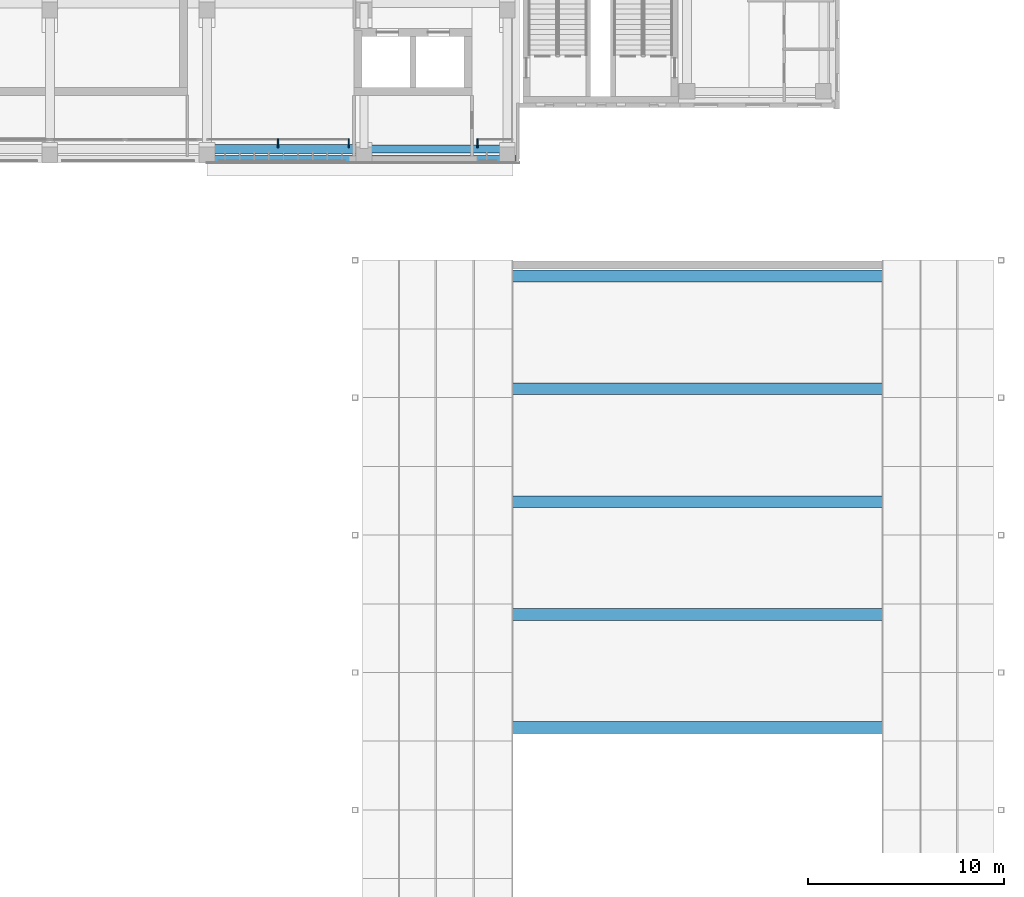
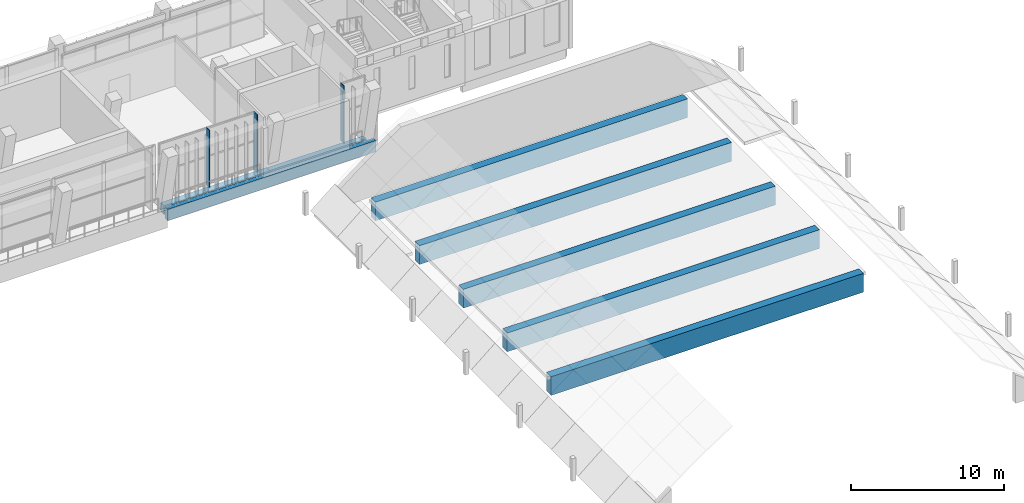
# One storey, part 17 of 89: 8 beams, 3 members, 2 elements without a shape of their own.
"""IFC4 building model written with IfcOpenShell, lengths in metres."""

from ifc_helpers import new_model, si_unit, direction, frame, origin, origin_2d, place, context, subcontext, project, spatial, rectangle, extrude, material, material_profile, profile_set, type_object, element, aggregate, save


model = new_model("IFC4")

# Units and contexts
model_context = context("Model", 3, precision=1e-05, world=origin(), true_north=direction((0.0, 1.0)))
body_context = subcontext(model_context, "Body", "Model", "MODEL_VIEW")
ifc_project = project(units=[si_unit("LENGTHUNIT", "METRE"), si_unit("AREAUNIT", "SQUARE_METRE"), si_unit("VOLUMEUNIT", "CUBIC_METRE"), si_unit("PLANEANGLEUNIT", "RADIAN"), si_unit("MASSUNIT", "GRAM", prefix="KILO")], contexts=[model_context])

# Site, building, storey
site_placement = place(None, origin())
site = spatial("IfcSite", under=ifc_project, at=site_placement, CompositionType="ELEMENT")
building_placement = place(site_placement, origin())
building = spatial("IfcBuilding", under=site, at=building_placement, Name="Lantern Court Media Centre", CompositionType="ELEMENT")
storey_placement = place(building_placement, frame((0.0, 0.0, 14.39990234375)))
storey = spatial("IfcBuildingStorey", under=building, at=storey_placement, Name="L03", CompositionType="ELEMENT", Elevation=14.39990234375)

# Curtain wall, members
ifc_material_1 = material(Name="Curtain wall bay 3000")
curtain_wall_type = type_object("IfcCurtainWallType", Name="Curtain wall bay 3000", PredefinedType="NOTDEFINED", material=ifc_material_1)
curtain_wall_1_placement = place(storey_placement, origin())
curtain_wall_1 = element("IfcCurtainWall", 1, at=curtain_wall_1_placement, inside=storey, type_object=curtain_wall_type, Name="Curtain wall S outer L03", PredefinedType="NOTDEFINED")
ifc_material_2 = material(Name="Anodised aluminium", Category="aluminium")
ifc_material_profile_1 = material_profile(ifc_material_2, rectangle(XDim=0.449951171875, YDim=0.06005859375, at=origin_2d()), Name="AL 60x450")
ifc_profile_set_1 = profile_set([ifc_material_profile_1], Name="Anodised aluminium")
member_type = type_object("IfcMemberType", Name="Curtain wall mullion 60x450", PredefinedType="MULLION", material=ifc_profile_set_1)
member_1_placement = place(storey_placement, frame((67.625, 45.955078125, 0.0), z_axis=(0.0, 0.0, 1.0), x_axis=(0.0, 1.0, 0.0)))
member_1 = element("IfcMember", 2, at=member_1_placement, type_object=member_type, Name="CW1 mullion 2", PredefinedType="MULLION", context=body_context, shape_type="SweptSolid", body=[
    extrude(rectangle(XDim=0.449951171875, YDim=0.06005859375, at=origin_2d()), origin(), (0.0, 0.0, 1.0), 4.580078125),
])
member_2_placement = place(storey_placement, frame((71.219970703125, 45.955078125, 0.0), z_axis=(0.0, 0.0, 1.0), x_axis=(0.0, 1.0, 0.0)))
member_2 = element("IfcMember", 3, at=member_2_placement, type_object=member_type, Name="CW1 mullion 3", PredefinedType="MULLION", context=body_context, shape_type="SweptSolid", body=[
    extrude(rectangle(XDim=0.449951171875, YDim=0.06005859375, at=origin_2d()), origin(), (0.0, 0.0, 1.0), 4.580078125),
])
aggregate(curtain_wall_1, [member_1, member_2])

# Curtain wall, member
curtain_wall_2_placement = place(storey_placement, origin())
curtain_wall_2 = element("IfcCurtainWall", 4, at=curtain_wall_2_placement, inside=storey, type_object=curtain_wall_type, Name="Curtain wall S outer L03", PredefinedType="NOTDEFINED")
member_3_placement = place(storey_placement, frame((77.780029296875, 45.955078125, 0.0), z_axis=(0.0, 0.0, 1.0), x_axis=(0.0, 1.0, 0.0)))
member_3 = element("IfcMember", 5, at=member_3_placement, type_object=member_type, Name="CW1 mullion 1", PredefinedType="MULLION", context=body_context, shape_type="SweptSolid", body=[
    extrude(rectangle(XDim=0.449951171875, YDim=0.06005859375, at=origin_2d()), origin(), (0.0, 0.0, 1.0), 4.580078125),
])
aggregate(curtain_wall_2, [member_3])

# Beams
ifc_material_3 = material(Name="Concrete C35", Category="concrete")
ifc_material_profile_2 = material_profile(ifc_material_3, rectangle(XDim=0.35009765625, YDim=0.89990234375, at=origin_2d()), Name="RC 350x900")
ifc_profile_set_2 = profile_set([ifc_material_profile_2], Name="Concrete C35")
beam_type_1 = type_object("IfcBeamType", Name="RC BEAM 350x900", PredefinedType="BEAM", material=ifc_profile_set_2)
beam_1_placement = place(storey_placement, frame((64.0, 45.14990234375, -0.449951171875), z_axis=(1.0, 0.0, 0.0), x_axis=(0.0, 1.0, 0.0)))
element("IfcBeam", 6, at=beam_1_placement, inside=storey, type_object=beam_type_1, Name="EB-S-L03-A-2", PredefinedType="BEAM", context=body_context, shape_type="SweptSolid", body=[
    extrude(rectangle(XDim=0.35009765625, YDim=0.89990234375, at=origin_2d()), origin(), (0.0, 0.0, 1.0), 15.75),
])
ifc_material_profile_3 = material_profile(ifc_material_3, rectangle(XDim=0.39990234375, YDim=0.699951171875, at=origin_2d()), Name="RC 400x700")
ifc_profile_set_3 = profile_set([ifc_material_profile_3], Name="Concrete C35")
beam_type_2 = type_object("IfcBeamType", Name="RC BEAM 400x700", PredefinedType="BEAM", material=ifc_profile_set_3)
beam_2_placement = place(storey_placement, frame((72.0, 45.6728515625, -0.349853515625), z_axis=(1.0, 0.0, 0.0), x_axis=(0.0, 1.0, 0.0)))
element("IfcBeam", 7, at=beam_2_placement, inside=storey, type_object=beam_type_2, Name="LB-S-L03-0-6", PredefinedType="BEAM", context=body_context, shape_type="SweptSolid", body=[
    extrude(rectangle(XDim=0.39990234375, YDim=0.699951171875, at=origin_2d()), origin(), (0.0, 0.0, 1.0), 7.300048828125),
])
ifc_material_profile_4 = material_profile(ifc_material_3, rectangle(XDim=0.449951171875, YDim=0.699951171875, at=origin_2d()), Name="RC 450x700")
ifc_profile_set_4 = profile_set([ifc_material_profile_4], Name="Concrete C35")
beam_type_3 = type_object("IfcBeamType", Name="RC BEAM 450x700", PredefinedType="BEAM", material=ifc_profile_set_4)
beam_3_placement = place(storey_placement, frame((64.0, 45.6728515625, -0.349853515625), z_axis=(1.0, 0.0, 0.0), x_axis=(0.0, 1.0, 0.0)))
element("IfcBeam", 8, at=beam_3_placement, inside=storey, type_object=beam_type_3, Name="LB-S-L03-0-5", PredefinedType="BEAM", context=body_context, shape_type="SweptSolid", body=[
    extrude(rectangle(XDim=0.449951171875, YDim=0.699951171875, at=origin_2d()), origin(), (0.0, 0.0, 1.0), 8.0),
])
ifc_material_profile_5 = material_profile(ifc_material_3, rectangle(XDim=0.60009765625, YDim=1.5, at=origin_2d()), Name="RC 600x1500")
ifc_profile_set_5 = profile_set([ifc_material_profile_5], Name="Concrete C35")
beam_type_4 = type_object("IfcBeamType", Name="RC BEAM 600x1500", PredefinedType="BEAM", material=ifc_profile_set_5)
for number, where, z_axis, x_axis, name in (
    (9, (76.199951171875, 16.199951171875, -0.75), (1.0, 0.0, 0.0), (0.0, 1.0, 0.0), "RB-V2-V2-STA-0"),
    (10, (76.199951171875, 21.949951171875, -0.75), (1.0, 0.0, 0.0), (0.0, 1.0, 0.0), "RB-V2-V2-STA-1"),
    (11, (76.199951171875, 27.699951171875, -0.75), (1.0, 0.0, 0.0), (0.0, 1.0, 0.0), "RB-V2-V2-STA-2"),
    (12, (76.199951171875, 33.449951171875, -0.75), (1.0, 0.0, 0.0), (0.0, 1.0, 0.0), "RB-V2-V2-STA-3"),
    (13, (76.199951171875, 39.199951171875, -0.75), (1.0, 0.0, 0.0), (0.0, 1.0, 0.0), "RB-V2-V2-STA-4"),
):
    element("IfcBeam", number, at=place(storey_placement, frame(where, z_axis=z_axis, x_axis=x_axis)), inside=storey, type_object=beam_type_4, Name=name, PredefinedType="BEAM", context=body_context, shape_type="SweptSolid", body=[
        extrude(rectangle(XDim=0.60009765625, YDim=1.5, at=origin_2d()), origin(), (0.0, 0.0, 1.0), 23.60009765625),
    ])

save(model, "model.ifc")
